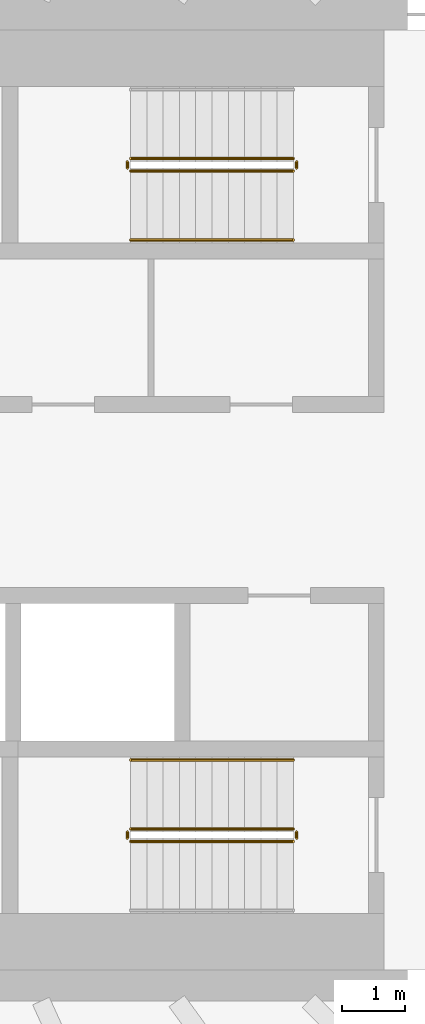
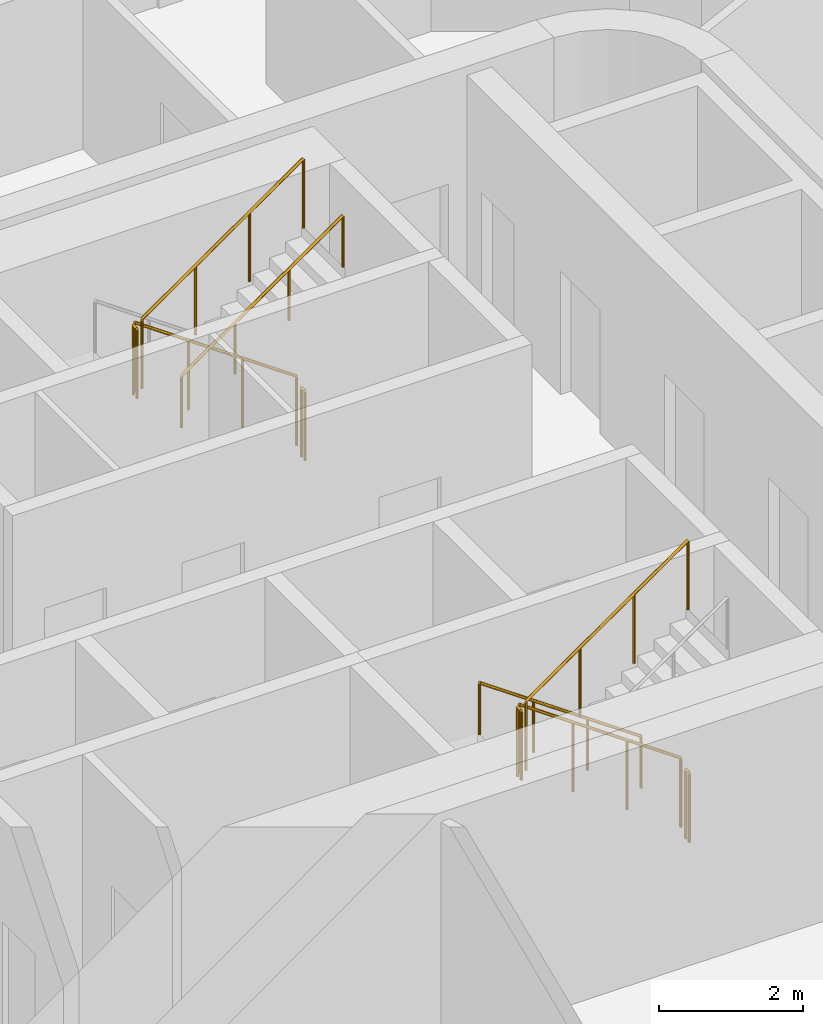
# One storey, part 21 of 23: 10 railings.
"""IFC4 building model written with IfcOpenShell, lengths in metres."""

from ifc_helpers import new_model, si_unit, direction, frame, origin, origin_2d, place, context, subcontext, project, spatial, circle, extrude, material, type_object, element, save


model = new_model("IFC4")

# Units and contexts
model_context = context("Model", 3, precision=1e-05, world=origin(), true_north=direction((0.0, 1.0)))
body_context = subcontext(model_context, "Body", "Model", "MODEL_VIEW")
ifc_project = project(units=[si_unit("LENGTHUNIT", "METRE"), si_unit("AREAUNIT", "SQUARE_METRE"), si_unit("VOLUMEUNIT", "CUBIC_METRE"), si_unit("PLANEANGLEUNIT", "RADIAN"), si_unit("MASSUNIT", "GRAM", prefix="KILO")], contexts=[model_context])

# Site, building, storey
site_placement = place(None, origin())
site = spatial("IfcSite", under=ifc_project, at=site_placement, CompositionType="ELEMENT")
building_placement = place(site_placement, origin())
building = spatial("IfcBuilding", under=site, at=building_placement, Name="Sahrelin Media Tower", CompositionType="ELEMENT")
storey_placement = place(building_placement, frame((0.0, 0.0, 157.60009765625)))
storey = spatial("IfcBuildingStorey", under=building, at=storey_placement, Name="L32", CompositionType="ELEMENT", Elevation=157.60009765625)

# Railings
ifc_material = material(Name="Steel S355", Category="steel")
railing_type_1 = type_object("IfcRailingType", Name="Stair guard 1200", PredefinedType="GUARDRAIL", material=ifc_material)
railing_1_placement = place(storey_placement, frame((7.675048828125, 5.449951171875, 0.181640625)))
element("IfcRailing", 1, at=railing_1_placement, inside=storey, type_object=railing_type_1, Name="L32 ST3 stair guard 1", PredefinedType="GUARDRAIL", context=body_context, shape_type="SweptSolid", body=[
    extrude(circle(Radius=0.02392578125, at=origin_2d()), frame((0.0, 0.0, 1.17578125), z_axis=(-0.819484887739, 0.0, 0.573100792852), x_axis=(0.0, -1.0, 0.0)), (0.0, 0.0, 1.0), 3.1728515625),
    extrude(circle(Radius=0.02099609375, at=origin_2d()), origin(), (0.0, 0.0, 1.0), 1.15185546875),
    extrude(circle(Radius=0.02099609375, at=origin_2d()), frame((-0.86669921875, 0.0, 0.606201171875)), (0.0, 0.0, 1.0), 1.15185546875),
    extrude(circle(Radius=0.02099609375, at=origin_2d()), frame((-1.7333984375, 0.0, 1.212158203125)), (0.0, 0.0, 1.0), 1.15185546875),
    extrude(circle(Radius=0.02099609375, at=origin_2d()), frame((-2.60009765625, 0.0, 1.818359375)), (0.0, 0.0, 1.0), 1.15185546875),
])
railing_2_placement = place(storey_placement, frame((5.02490234375, 5.39990234375, 2.0)))
element("IfcRailing", 2, at=railing_2_placement, inside=storey, type_object=railing_type_1, Name="L32 ST3 stair guard 2", PredefinedType="GUARDRAIL", context=body_context, shape_type="SweptSolid", body=[
    extrude(circle(Radius=0.02392578125, at=origin_2d()), frame((0.0, 0.0, 1.17578125), z_axis=(0.0, -1.0, 0.0), x_axis=(1.0, 0.0, 0.0)), (0.0, 0.0, 1.0), 0.099853515625),
    extrude(circle(Radius=0.02099609375, at=origin_2d()), origin(), (0.0, 0.0, 1.0), 1.15185546875),
    extrude(circle(Radius=0.02099609375, at=origin_2d()), frame((0.0, -0.099853515625, 0.0)), (0.0, 0.0, 1.0), 1.15185546875),
])
railing_3_placement = place(storey_placement, frame((5.074951171875, 5.25, 2.181640625)))
element("IfcRailing", 3, at=railing_3_placement, inside=storey, type_object=railing_type_1, Name="L32 ST3 stair guard 3", PredefinedType="GUARDRAIL", context=body_context, shape_type="SweptSolid", body=[
    extrude(circle(Radius=0.02392578125, at=origin_2d()), frame((0.0, 0.0, 1.17578125), z_axis=(0.819484887739, 0.0, 0.573100792852), x_axis=(0.0, 1.0, 0.0)), (0.0, 0.0, 1.0), 3.1728515625),
    extrude(circle(Radius=0.02099609375, at=origin_2d()), origin(), (0.0, 0.0, 1.0), 1.15185546875),
    extrude(circle(Radius=0.02099609375, at=origin_2d()), frame((0.86669921875, 0.0, 0.606201171875)), (0.0, 0.0, 1.0), 1.15185546875),
    extrude(circle(Radius=0.02099609375, at=origin_2d()), frame((1.7333984375, 0.0, 1.212158203125)), (0.0, 0.0, 1.0), 1.15185546875),
    extrude(circle(Radius=0.02099609375, at=origin_2d()), frame((2.60009765625, 0.0, 1.818359375)), (0.0, 0.0, 1.0), 1.15185546875),
])
railing_4_placement = place(storey_placement, frame((7.72509765625, 5.39990234375, 0.0)))
element("IfcRailing", 4, at=railing_4_placement, inside=storey, type_object=railing_type_1, Name="L32 ST3 stair guard 4", PredefinedType="GUARDRAIL", context=body_context, shape_type="SweptSolid", body=[
    extrude(circle(Radius=0.02392578125, at=origin_2d()), frame((0.0, 0.0, 1.17578125), z_axis=(0.0, -1.0, 0.0), x_axis=(1.0, 0.0, 0.0)), (0.0, 0.0, 1.0), 0.099853515625),
    extrude(circle(Radius=0.02099609375, at=origin_2d()), origin(), (0.0, 0.0, 1.0), 1.15185546875),
    extrude(circle(Radius=0.02099609375, at=origin_2d()), frame((0.0, -0.099853515625, 0.0)), (0.0, 0.0, 1.0), 1.15185546875),
])
railing_5_placement = place(storey_placement, frame((7.675048828125, -5.25, 0.181640625)))
element("IfcRailing", 5, at=railing_5_placement, inside=storey, type_object=railing_type_1, Name="L32 ST2 stair guard 1", PredefinedType="GUARDRAIL", context=body_context, shape_type="SweptSolid", body=[
    extrude(circle(Radius=0.02392578125, at=origin_2d()), frame((0.0, 0.0, 1.17578125), z_axis=(-0.819484887739, 0.0, 0.573100792852), x_axis=(0.0, -1.0, 0.0)), (0.0, 0.0, 1.0), 3.1728515625),
    extrude(circle(Radius=0.02099609375, at=origin_2d()), origin(), (0.0, 0.0, 1.0), 1.15185546875),
    extrude(circle(Radius=0.02099609375, at=origin_2d()), frame((-0.86669921875, 0.0, 0.606201171875)), (0.0, 0.0, 1.0), 1.15185546875),
    extrude(circle(Radius=0.02099609375, at=origin_2d()), frame((-1.7333984375, 0.0, 1.212158203125)), (0.0, 0.0, 1.0), 1.15185546875),
    extrude(circle(Radius=0.02099609375, at=origin_2d()), frame((-2.60009765625, 0.0, 1.818359375)), (0.0, 0.0, 1.0), 1.15185546875),
])
railing_6_placement = place(storey_placement, frame((5.02490234375, -5.300048828125, 2.0)))
element("IfcRailing", 6, at=railing_6_placement, inside=storey, type_object=railing_type_1, Name="L32 ST2 stair guard 2", PredefinedType="GUARDRAIL", context=body_context, shape_type="SweptSolid", body=[
    extrude(circle(Radius=0.02392578125, at=origin_2d()), frame((0.0, 0.0, 1.17578125), z_axis=(0.0, -1.0, 0.0), x_axis=(1.0, 0.0, 0.0)), (0.0, 0.0, 1.0), 0.099853515625),
    extrude(circle(Radius=0.02099609375, at=origin_2d()), origin(), (0.0, 0.0, 1.0), 1.15185546875),
    extrude(circle(Radius=0.02099609375, at=origin_2d()), frame((0.0, -0.099853515625, 0.0)), (0.0, 0.0, 1.0), 1.15185546875),
])
railing_7_placement = place(storey_placement, frame((5.074951171875, -5.449951171875, 2.181640625)))
element("IfcRailing", 7, at=railing_7_placement, inside=storey, type_object=railing_type_1, Name="L32 ST2 stair guard 3", PredefinedType="GUARDRAIL", context=body_context, shape_type="SweptSolid", body=[
    extrude(circle(Radius=0.02392578125, at=origin_2d()), frame((0.0, 0.0, 1.17578125), z_axis=(0.819484887739, 0.0, 0.573100792852), x_axis=(0.0, 1.0, 0.0)), (0.0, 0.0, 1.0), 3.1728515625),
    extrude(circle(Radius=0.02099609375, at=origin_2d()), origin(), (0.0, 0.0, 1.0), 1.15185546875),
    extrude(circle(Radius=0.02099609375, at=origin_2d()), frame((0.86669921875, 0.0, 0.606201171875)), (0.0, 0.0, 1.0), 1.15185546875),
    extrude(circle(Radius=0.02099609375, at=origin_2d()), frame((1.7333984375, 0.0, 1.212158203125)), (0.0, 0.0, 1.0), 1.15185546875),
    extrude(circle(Radius=0.02099609375, at=origin_2d()), frame((2.60009765625, 0.0, 1.818359375)), (0.0, 0.0, 1.0), 1.15185546875),
])
railing_8_placement = place(storey_placement, frame((7.72509765625, -5.300048828125, 0.0)))
element("IfcRailing", 8, at=railing_8_placement, inside=storey, type_object=railing_type_1, Name="L32 ST2 stair guard 4", PredefinedType="GUARDRAIL", context=body_context, shape_type="SweptSolid", body=[
    extrude(circle(Radius=0.02392578125, at=origin_2d()), frame((0.0, 0.0, 1.17578125), z_axis=(0.0, -1.0, 0.0), x_axis=(1.0, 0.0, 0.0)), (0.0, 0.0, 1.0), 0.099853515625),
    extrude(circle(Radius=0.02099609375, at=origin_2d()), origin(), (0.0, 0.0, 1.0), 1.15185546875),
    extrude(circle(Radius=0.02099609375, at=origin_2d()), frame((0.0, -0.099853515625, 0.0)), (0.0, 0.0, 1.0), 1.15185546875),
])
railing_type_2 = type_object("IfcRailingType", Name="Stair handrail 900", PredefinedType="HANDRAIL", material=ifc_material)
railing_9_placement = place(storey_placement, frame((5.074951171875, 4.14990234375, 2.181640625)))
element("IfcRailing", 9, at=railing_9_placement, inside=storey, type_object=railing_type_2, Name="L32 ST3 stair handrail 2", PredefinedType="HANDRAIL", context=body_context, shape_type="SweptSolid", body=[
    extrude(circle(Radius=0.02392578125, at=origin_2d()), frame((0.0, 0.0, 0.8759765625), z_axis=(0.819484887739, 0.0, 0.573100792852), x_axis=(0.0, 1.0, 0.0)), (0.0, 0.0, 1.0), 3.1728515625),
    extrude(circle(Radius=0.02099609375, at=origin_2d()), origin(), (0.0, 0.0, 1.0), 0.851806640625),
    extrude(circle(Radius=0.02099609375, at=origin_2d()), frame((0.86669921875, 0.0, 0.606201171875)), (0.0, 0.0, 1.0), 0.851806640625),
    extrude(circle(Radius=0.02099609375, at=origin_2d()), frame((1.7333984375, 0.0, 1.212158203125)), (0.0, 0.0, 1.0), 0.851806640625),
    extrude(circle(Radius=0.02099609375, at=origin_2d()), frame((2.60009765625, 0.0, 1.818359375)), (0.0, 0.0, 1.0), 0.851806640625),
])
railing_10_placement = place(storey_placement, frame((7.675048828125, -4.14990234375, 0.181640625)))
element("IfcRailing", 10, at=railing_10_placement, inside=storey, type_object=railing_type_2, Name="L32 ST2 stair handrail 1", PredefinedType="HANDRAIL", context=body_context, shape_type="SweptSolid", body=[
    extrude(circle(Radius=0.02392578125, at=origin_2d()), frame((0.0, 0.0, 0.8759765625), z_axis=(-0.819484887739, 0.0, 0.573100792852), x_axis=(0.0, -1.0, 0.0)), (0.0, 0.0, 1.0), 3.1728515625),
    extrude(circle(Radius=0.02099609375, at=origin_2d()), origin(), (0.0, 0.0, 1.0), 0.851806640625),
    extrude(circle(Radius=0.02099609375, at=origin_2d()), frame((-0.86669921875, 0.0, 0.606201171875)), (0.0, 0.0, 1.0), 0.851806640625),
    extrude(circle(Radius=0.02099609375, at=origin_2d()), frame((-1.7333984375, 0.0, 1.212158203125)), (0.0, 0.0, 1.0), 0.851806640625),
    extrude(circle(Radius=0.02099609375, at=origin_2d()), frame((-2.60009765625, 0.0, 1.818359375)), (0.0, 0.0, 1.0), 0.851806640625),
])

save(model, "model.ifc")
